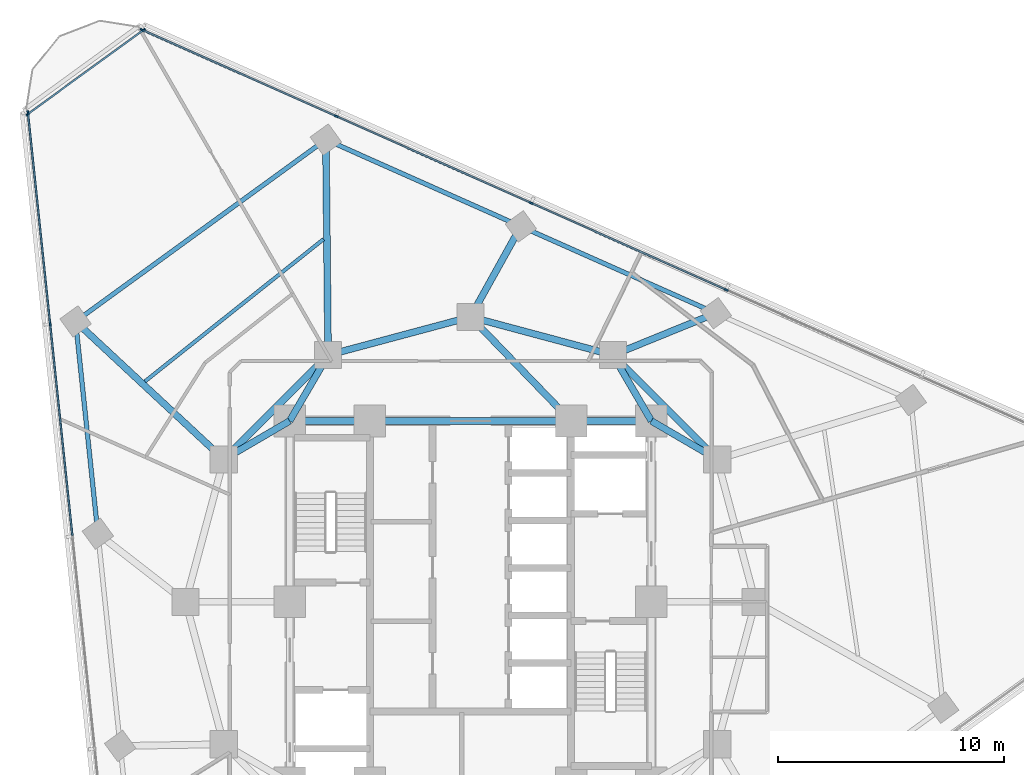
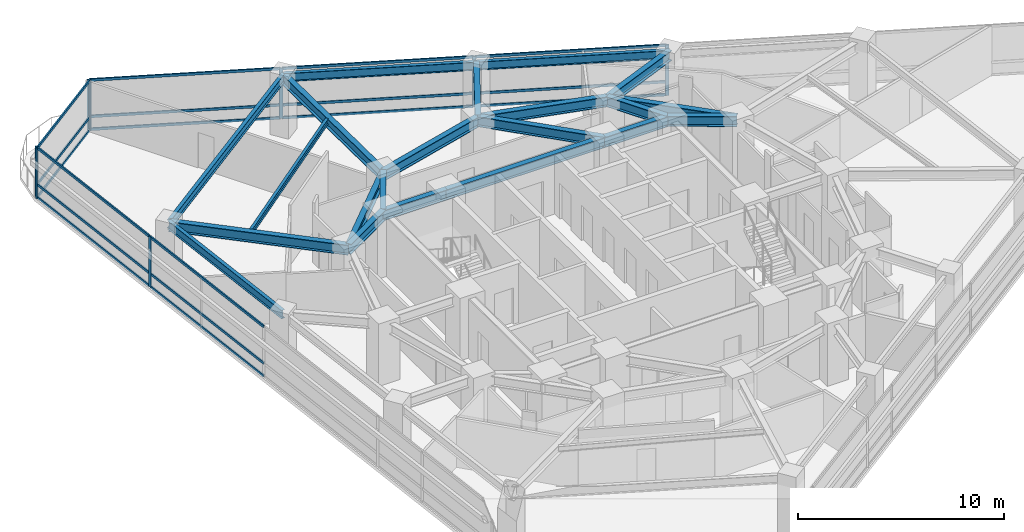
# One storey, part 5 of 14: 26 members, 21 beams, 3 elements without a shape of their own.
"""IFC4 building model written with IfcOpenShell, lengths in metres."""

from ifc_helpers import new_model, si_unit, direction, frame, origin, origin_2d, place, context, subcontext, project, spatial, rectangle, i_section, extrude, material, layer, layer_set, material_profile, profile_set, type_object, element, aggregate, save


model = new_model("IFC4")

# Units and contexts
model_context = context("Model", 3, precision=1e-05, world=origin(), true_north=direction((0.0, 1.0)))
body_context = subcontext(model_context, "Body", "Model", "MODEL_VIEW")
ifc_project = project(units=[si_unit("LENGTHUNIT", "METRE"), si_unit("AREAUNIT", "SQUARE_METRE"), si_unit("VOLUMEUNIT", "CUBIC_METRE"), si_unit("PLANEANGLEUNIT", "RADIAN"), si_unit("MASSUNIT", "GRAM", prefix="KILO")], contexts=[model_context])

# Site, building, storey
site_placement = place(None, origin())
site = spatial("IfcSite", under=ifc_project, at=site_placement, CompositionType="ELEMENT")
building_placement = place(site_placement, origin())
building = spatial("IfcBuilding", under=site, at=building_placement, Name="Terralouvre Media Tower", CompositionType="ELEMENT")
storey_placement = place(building_placement, frame((0.0, 0.0, 162.0)))
storey = spatial("IfcBuildingStorey", under=building, at=storey_placement, Name="L41", CompositionType="ELEMENT", Elevation=162.0)

# Beam
ifc_material_1 = material(Name="Structural steel S355J2", Category="steel")
ifc_material_profile_1 = material_profile(ifc_material_1, i_section(OverallWidth=0.159912109375, OverallDepth=0.330078125, WebThickness=0.007568359375, FlangeThickness=0.011474609375, at=origin_2d()), Name="IPE 330")
ifc_profile_set_1 = profile_set([ifc_material_profile_1], Name="Structural steel S355J2")
beam_type_1 = type_object("IfcBeamType", Name="Composite Floor Joist J-IPE330 (IPE 330)", PredefinedType="JOIST", material=ifc_profile_set_1)
beam_1_placement = place(storey_placement, frame((-6.500732421875, 16.037841796875, 3.3349609375), z_axis=(-0.782373963914, -0.622808943891, 0.0), x_axis=(0.622808943891, -0.782373963914, 0.0)))
element("IfcBeam", 1, at=beam_1_placement, inside=storey, type_object=beam_type_1, Name="L41 Framing Beam JT-L41-05", PredefinedType="JOIST", context=body_context, shape_type="SweptSolid", body=[
    extrude(i_section(OverallWidth=0.159912109375, OverallDepth=0.330078125, WebThickness=0.007568359375, FlangeThickness=0.011474609375, at=origin_2d()), origin(), (0.0, 0.0, 1.0), 10.0966796875),
])

# Curtain wall, members
ifc_material_2 = material(Name="Low-iron laminated double glazing with solar-control coating", Category="glass")
ifc_layer_1 = layer(ifc_material_2, 0.1650390625, Name="Production Studio Tower Curtain Wall CW-03")
ifc_layer_set_1 = layer_set([ifc_layer_1], Name="Low-iron laminated double glazing with solar-control coating")
curtain_wall_type_1 = type_object("IfcCurtainWallType", Name="Production Studio Tower Curtain Wall CW-03", PredefinedType="NOTDEFINED", material=ifc_layer_set_1)
curtain_wall_1_placement = place(storey_placement, origin())
curtain_wall_1 = element("IfcCurtainWall", 2, at=curtain_wall_1_placement, inside=storey, type_object=curtain_wall_type_1, Name="L41 Facade Curtain Wall F1", PredefinedType="NOTDEFINED")
ifc_material_3 = material(Name="Anodised extruded aluminium 6063-T6", Category="aluminium")
ifc_material_profile_2 = material_profile(ifc_material_3, rectangle(XDim=0.074951171875, YDim=0.14990234375, at=origin_2d()), Name="ALU 75x150")
ifc_profile_set_2 = profile_set([ifc_material_profile_2], Name="Anodised extruded aluminium 6063-T6")
member_type_1 = type_object("IfcMemberType", Name="Curtain-Wall Horizontal Transom TR-150", PredefinedType="USERDEFINED", material=ifc_profile_set_2)
member_1_placement = place(storey_placement, frame((11.27587890625, 13.8134765625, 0.03759765625), z_axis=(-0.913546899195, 0.40673340528, 0.0), x_axis=(-0.40673340528, -0.913546899195, 0.0)))
member_1 = element("IfcMember", 3, at=member_1_placement, type_object=member_type_1, Name="CW-03 transom 3.1", ObjectType="TRANSOM", PredefinedType="USERDEFINED", context=body_context, shape_type="SweptSolid", body=[
    extrude(rectangle(XDim=0.074951171875, YDim=0.14990234375, at=origin_2d()), origin(), (0.0, 0.0, 1.0), 9.364990234375),
])
member_2_placement = place(storey_placement, frame((11.27587890625, 13.8134765625, 0.800048828125), z_axis=(-0.913546899195, 0.40673340528, 0.0), x_axis=(-0.40673340528, -0.913546899195, 0.0)))
member_2 = element("IfcMember", 4, at=member_2_placement, type_object=member_type_1, Name="CW-03 transom 3.2", ObjectType="TRANSOM", PredefinedType="USERDEFINED", context=body_context, shape_type="SweptSolid", body=[
    extrude(rectangle(XDim=0.074951171875, YDim=0.14990234375, at=origin_2d()), origin(), (0.0, 0.0, 1.0), 9.364990234375),
])
member_3_placement = place(storey_placement, frame((11.27587890625, 13.8134765625, 2.96240234375), z_axis=(-0.913546899195, 0.40673340528, 0.0), x_axis=(-0.40673340528, -0.913546899195, 0.0)))
member_3 = element("IfcMember", 5, at=member_3_placement, type_object=member_type_1, Name="CW-03 transom 3.3", ObjectType="TRANSOM", PredefinedType="USERDEFINED", context=body_context, shape_type="SweptSolid", body=[
    extrude(rectangle(XDim=0.074951171875, YDim=0.14990234375, at=origin_2d()), origin(), (0.0, 0.0, 1.0), 9.364990234375),
])
member_4_placement = place(storey_placement, frame((2.65185546875, 17.653076171875, 0.03759765625), z_axis=(-0.913546899195, 0.40673340528, 0.0), x_axis=(-0.40673340528, -0.913546899195, 0.0)))
member_4 = element("IfcMember", 6, at=member_4_placement, type_object=member_type_1, Name="CW-03 transom 4.1", ObjectType="TRANSOM", PredefinedType="USERDEFINED", context=body_context, shape_type="SweptSolid", body=[
    extrude(rectangle(XDim=0.074951171875, YDim=0.14990234375, at=origin_2d()), origin(), (0.0, 0.0, 1.0), 9.364990234375),
])
member_5_placement = place(storey_placement, frame((2.65185546875, 17.653076171875, 0.800048828125), z_axis=(-0.913546899195, 0.40673340528, 0.0), x_axis=(-0.40673340528, -0.913546899195, 0.0)))
member_5 = element("IfcMember", 7, at=member_5_placement, type_object=member_type_1, Name="CW-03 transom 4.2", ObjectType="TRANSOM", PredefinedType="USERDEFINED", context=body_context, shape_type="SweptSolid", body=[
    extrude(rectangle(XDim=0.074951171875, YDim=0.14990234375, at=origin_2d()), origin(), (0.0, 0.0, 1.0), 9.364990234375),
])
member_6_placement = place(storey_placement, frame((2.65185546875, 17.653076171875, 2.96240234375), z_axis=(-0.913546899195, 0.40673340528, 0.0), x_axis=(-0.40673340528, -0.913546899195, 0.0)))
member_6 = element("IfcMember", 8, at=member_6_placement, type_object=member_type_1, Name="CW-03 transom 4.3", ObjectType="TRANSOM", PredefinedType="USERDEFINED", context=body_context, shape_type="SweptSolid", body=[
    extrude(rectangle(XDim=0.074951171875, YDim=0.14990234375, at=origin_2d()), origin(), (0.0, 0.0, 1.0), 9.364990234375),
])
member_7_placement = place(storey_placement, frame((-5.971923828125, 21.49267578125, 0.03759765625), z_axis=(-0.913553401339, 0.406718800774, 0.0), x_axis=(-0.406718800774, -0.913553401339, 0.0)))
member_7 = element("IfcMember", 9, at=member_7_placement, type_object=member_type_1, Name="CW-03 transom 5.1", ObjectType="TRANSOM", PredefinedType="USERDEFINED", context=body_context, shape_type="SweptSolid", body=[
    extrude(rectangle(XDim=0.074951171875, YDim=0.14990234375, at=origin_2d()), origin(), (0.0, 0.0, 1.0), 9.32763671875),
])
member_8_placement = place(storey_placement, frame((-5.971923828125, 21.49267578125, 0.800048828125), z_axis=(-0.913553401339, 0.406718800774, 0.0), x_axis=(-0.406718800774, -0.913553401339, 0.0)))
member_8 = element("IfcMember", 10, at=member_8_placement, type_object=member_type_1, Name="CW-03 transom 5.2", ObjectType="TRANSOM", PredefinedType="USERDEFINED", context=body_context, shape_type="SweptSolid", body=[
    extrude(rectangle(XDim=0.074951171875, YDim=0.14990234375, at=origin_2d()), origin(), (0.0, 0.0, 1.0), 9.32763671875),
])
member_9_placement = place(storey_placement, frame((-5.971923828125, 21.49267578125, 2.96240234375), z_axis=(-0.913553401339, 0.406718800774, 0.0), x_axis=(-0.406718800774, -0.913553401339, 0.0)))
member_9 = element("IfcMember", 11, at=member_9_placement, type_object=member_type_1, Name="CW-03 transom 5.3", ObjectType="TRANSOM", PredefinedType="USERDEFINED", context=body_context, shape_type="SweptSolid", body=[
    extrude(rectangle(XDim=0.074951171875, YDim=0.14990234375, at=origin_2d()), origin(), (0.0, 0.0, 1.0), 9.32763671875),
])

curtain_wall_2_placement = place(storey_placement, origin())
curtain_wall_2 = element("IfcCurtainWall", 12, at=curtain_wall_2_placement, inside=storey, type_object=curtain_wall_type_1, Name="L41 Facade Curtain Wall F2", PredefinedType="NOTDEFINED")
member_10_placement = place(storey_placement, frame((-19.5703125, 21.59765625, 0.03759765625), z_axis=(0.104540358364, -0.994520645071, 0.0), x_axis=(0.994520645071, 0.104540358364, 0.0)))
member_10 = element("IfcMember", 13, at=member_10_placement, type_object=member_type_1, Name="CW-03 transom 1.1", ObjectType="TRANSOM", PredefinedType="USERDEFINED", context=body_context, shape_type="SweptSolid", body=[
    extrude(rectangle(XDim=0.074951171875, YDim=0.14990234375, at=origin_2d()), origin(), (0.0, 0.0, 1.0), 9.327392578125),
])
member_11_placement = place(storey_placement, frame((-19.5703125, 21.59765625, 0.800048828125), z_axis=(0.104540358364, -0.994520645071, 0.0), x_axis=(0.994520645071, 0.104540358364, 0.0)))
member_11 = element("IfcMember", 14, at=member_11_placement, type_object=member_type_1, Name="CW-03 transom 1.2", ObjectType="TRANSOM", PredefinedType="USERDEFINED", context=body_context, shape_type="SweptSolid", body=[
    extrude(rectangle(XDim=0.074951171875, YDim=0.14990234375, at=origin_2d()), origin(), (0.0, 0.0, 1.0), 9.327392578125),
])
member_12_placement = place(storey_placement, frame((-19.5703125, 21.59765625, 2.96240234375), z_axis=(0.104540358364, -0.994520645071, 0.0), x_axis=(0.994520645071, 0.104540358364, 0.0)))
member_12 = element("IfcMember", 15, at=member_12_placement, type_object=member_type_1, Name="CW-03 transom 1.3", ObjectType="TRANSOM", PredefinedType="USERDEFINED", context=body_context, shape_type="SweptSolid", body=[
    extrude(rectangle(XDim=0.074951171875, YDim=0.14990234375, at=origin_2d()), origin(), (0.0, 0.0, 1.0), 9.327392578125),
])
member_13_placement = place(storey_placement, frame((-18.58740234375, 12.24658203125, 0.03759765625), z_axis=(0.104538223456, -0.994520869483, 0.0), x_axis=(0.994520869483, 0.104538223456, 0.0)))
member_13 = element("IfcMember", 16, at=member_13_placement, type_object=member_type_1, Name="CW-03 transom 2.1", ObjectType="TRANSOM", PredefinedType="USERDEFINED", context=body_context, shape_type="SweptSolid", body=[
    extrude(rectangle(XDim=0.074951171875, YDim=0.14990234375, at=origin_2d()), origin(), (0.0, 0.0, 1.0), 9.364990234375),
])
member_14_placement = place(storey_placement, frame((-18.58740234375, 12.24658203125, 0.800048828125), z_axis=(0.104538223456, -0.994520869483, 0.0), x_axis=(0.994520869483, 0.104538223456, 0.0)))
member_14 = element("IfcMember", 17, at=member_14_placement, type_object=member_type_1, Name="CW-03 transom 2.2", ObjectType="TRANSOM", PredefinedType="USERDEFINED", context=body_context, shape_type="SweptSolid", body=[
    extrude(rectangle(XDim=0.074951171875, YDim=0.14990234375, at=origin_2d()), origin(), (0.0, 0.0, 1.0), 9.364990234375),
])
member_15_placement = place(storey_placement, frame((-18.58740234375, 12.24658203125, 2.96240234375), z_axis=(0.104538223456, -0.994520869483, 0.0), x_axis=(0.994520869483, 0.104538223456, 0.0)))
member_15 = element("IfcMember", 18, at=member_15_placement, type_object=member_type_1, Name="CW-03 transom 2.3", ObjectType="TRANSOM", PredefinedType="USERDEFINED", context=body_context, shape_type="SweptSolid", body=[
    extrude(rectangle(XDim=0.074951171875, YDim=0.14990234375, at=origin_2d()), origin(), (0.0, 0.0, 1.0), 9.364990234375),
])

ifc_material_4 = material(Name="Low-iron laminated double glazing with solar-control coating", Category="glass")
ifc_layer_2 = layer(ifc_material_4, 0.1650390625, Name="Rounded Wind-Corner Curved Glazing CW-04")
ifc_layer_set_2 = layer_set([ifc_layer_2], Name="Low-iron laminated double glazing with solar-control coating")
curtain_wall_type_2 = type_object("IfcCurtainWallType", Name="Rounded Wind-Corner Curved Glazing CW-04", PredefinedType="NOTDEFINED", material=ifc_layer_set_2)
curtain_wall_3_placement = place(storey_placement, origin())
curtain_wall_3 = element("IfcCurtainWall", 19, at=curtain_wall_3_placement, inside=storey, type_object=curtain_wall_type_2, Name="L41 Rounded Wind-Corner Curtain Wall C2", PredefinedType="NOTDEFINED")
member_16_placement = place(storey_placement, frame((-14.4912109375, 25.269287109375, 0.03759765625), z_axis=(-0.809012644162, -0.587791239801, 0.0), x_axis=(0.587791239801, -0.809012644162, 0.0)))
member_16 = element("IfcMember", 20, at=member_16_placement, type_object=member_type_1, Name="CW-04 transom 1.1", ObjectType="TRANSOM", PredefinedType="USERDEFINED", context=body_context, shape_type="SweptSolid", body=[
    extrude(rectangle(XDim=0.074951171875, YDim=0.14990234375, at=origin_2d()), origin(), (0.0, 0.0, 1.0), 6.258544921875),
])
member_17_placement = place(storey_placement, frame((-14.4912109375, 25.269287109375, 0.800048828125), z_axis=(-0.809012644162, -0.587791239801, 0.0), x_axis=(0.587791239801, -0.809012644162, 0.0)))
member_17 = element("IfcMember", 21, at=member_17_placement, type_object=member_type_1, Name="CW-04 transom 1.2", ObjectType="TRANSOM", PredefinedType="USERDEFINED", context=body_context, shape_type="SweptSolid", body=[
    extrude(rectangle(XDim=0.074951171875, YDim=0.14990234375, at=origin_2d()), origin(), (0.0, 0.0, 1.0), 6.258544921875),
])
member_18_placement = place(storey_placement, frame((-14.4912109375, 25.269287109375, 2.96240234375), z_axis=(-0.809012644162, -0.587791239801, 0.0), x_axis=(0.587791239801, -0.809012644162, 0.0)))
member_18 = element("IfcMember", 22, at=member_18_placement, type_object=member_type_1, Name="CW-04 transom 1.3", ObjectType="TRANSOM", PredefinedType="USERDEFINED", context=body_context, shape_type="SweptSolid", body=[
    extrude(rectangle(XDim=0.074951171875, YDim=0.14990234375, at=origin_2d()), origin(), (0.0, 0.0, 1.0), 6.258544921875),
])

# Member
ifc_material_5 = material(Name="Anodised extruded aluminium 6063-T6", Category="aluminium")
ifc_material_profile_3 = material_profile(ifc_material_5, rectangle(XDim=0.074951171875, YDim=0.179931640625, at=origin_2d()), Name="ALU 75x180")
ifc_profile_set_3 = profile_set([ifc_material_profile_3], Name="Anodised extruded aluminium 6063-T6")
member_type_2 = type_object("IfcMemberType", Name="Curtain-Wall Vertical Mullion ML-180", PredefinedType="MULLION", material=ifc_profile_set_3)
member_19_placement = place(storey_placement, frame((11.31005859375, 13.798095703125, 0.0), z_axis=(0.0, 0.0, 1.0), x_axis=(-0.406736616337, -0.913545469547, 0.0)))
member_19 = element("IfcMember", 23, at=member_19_placement, type_object=member_type_2, Name="CW-03 mullion 3", PredefinedType="MULLION", context=body_context, shape_type="SweptSolid", body=[
    extrude(rectangle(XDim=0.074951171875, YDim=0.179931640625, at=origin_2d()), origin(), (0.0, 0.0, 1.0), 3.0),
])

member_20_placement = place(storey_placement, frame((2.686279296875, 17.6376953125, 0.0), z_axis=(0.0, 0.0, 1.0), x_axis=(-0.406736616337, -0.913545469547, 0.0)))
member_20 = element("IfcMember", 24, at=member_20_placement, type_object=member_type_2, Name="CW-03 mullion 4", PredefinedType="MULLION", context=body_context, shape_type="SweptSolid", body=[
    extrude(rectangle(XDim=0.074951171875, YDim=0.179931640625, at=origin_2d()), origin(), (0.0, 0.0, 1.0), 3.0),
])

member_21_placement = place(storey_placement, frame((-5.937744140625, 21.477294921875, 0.0), z_axis=(0.0, 0.0, 1.0), x_axis=(-0.406736616337, -0.913545469547, 0.0)))
member_21 = element("IfcMember", 25, at=member_21_placement, type_object=member_type_2, Name="CW-03 mullion 5", PredefinedType="MULLION", context=body_context, shape_type="SweptSolid", body=[
    extrude(rectangle(XDim=0.074951171875, YDim=0.179931640625, at=origin_2d()), origin(), (0.0, 0.0, 1.0), 3.0),
])

member_22_placement = place(storey_placement, frame((-14.52734375, 25.3017578125, 0.0), z_axis=(0.0, 0.0, 1.0), x_axis=(-0.406736616337, -0.913545469547, 0.0)))
member_22 = element("IfcMember", 26, at=member_22_placement, type_object=member_type_2, Name="CW-03 mullion 6", PredefinedType="MULLION", context=body_context, shape_type="SweptSolid", body=[
    extrude(rectangle(XDim=0.074951171875, YDim=0.179931640625, at=origin_2d()), origin(), (0.0, 0.0, 1.0), 3.0),
])

aggregate(curtain_wall_1, [member_19, member_20, member_21, member_22, member_1, member_2, member_3, member_4, member_5, member_6, member_7, member_8, member_9])

member_23_placement = place(storey_placement, frame((-19.57421875, 21.635009765625, 0.0), z_axis=(0.0, 0.0, 1.0), x_axis=(0.994521904516, 0.104528376236, 0.0)))
member_23 = element("IfcMember", 27, at=member_23_placement, type_object=member_type_2, Name="CW-03 mullion 1", PredefinedType="MULLION", context=body_context, shape_type="SweptSolid", body=[
    extrude(rectangle(XDim=0.074951171875, YDim=0.179931640625, at=origin_2d()), origin(), (0.0, 0.0, 1.0), 3.0),
])

member_24_placement = place(storey_placement, frame((-18.59130859375, 12.283935546875, 0.0), z_axis=(0.0, 0.0, 1.0), x_axis=(0.994521904516, 0.104528376236, 0.0)))
member_24 = element("IfcMember", 28, at=member_24_placement, type_object=member_type_2, Name="CW-03 mullion 2", PredefinedType="MULLION", context=body_context, shape_type="SweptSolid", body=[
    extrude(rectangle(XDim=0.074951171875, YDim=0.179931640625, at=origin_2d()), origin(), (0.0, 0.0, 1.0), 3.0),
])

aggregate(curtain_wall_2, [member_23, member_24, member_10, member_11, member_12, member_13, member_14, member_15])

member_25_placement = place(storey_placement, frame((-14.4609375, 25.291259765625, 0.0), z_axis=(0.0, 0.0, 1.0), x_axis=(0.587784641221, -0.809017438344, 0.0)))
member_25 = element("IfcMember", 29, at=member_25_placement, type_object=member_type_2, Name="CW-04 mullion 1", PredefinedType="MULLION", context=body_context, shape_type="SweptSolid", body=[
    extrude(rectangle(XDim=0.074951171875, YDim=0.179931640625, at=origin_2d()), origin(), (0.0, 0.0, 1.0), 3.0),
])

member_26_placement = place(storey_placement, frame((-19.584716796875, 21.568603515625, 0.0), z_axis=(0.0, 0.0, 1.0), x_axis=(0.587784641221, -0.809017438344, 0.0)))
member_26 = element("IfcMember", 30, at=member_26_placement, type_object=member_type_2, Name="CW-04 mullion 2", PredefinedType="MULLION", context=body_context, shape_type="SweptSolid", body=[
    extrude(rectangle(XDim=0.074951171875, YDim=0.179931640625, at=origin_2d()), origin(), (0.0, 0.0, 1.0), 3.0),
])

aggregate(curtain_wall_3, [member_25, member_26, member_16, member_17, member_18])

# Beams
ifc_material_6 = material(Name="Structural steel S355J2", Category="steel")
ifc_material_profile_4 = material_profile(ifc_material_6, i_section(OverallWidth=0.199951171875, OverallDepth=0.5, WebThickness=0.01025390625, FlangeThickness=0.01611328125, at=origin_2d()), Name="IPE 500")
ifc_profile_set_4 = profile_set([ifc_material_profile_4], Name="Structural steel S355J2")
beam_type_2 = type_object("IfcBeamType", Name="Perimeter Spandrel Beam SPB-500 (IPE 500)", PredefinedType="SPANDREL", material=ifc_profile_set_4)
for number, where, z_axis, x_axis, name in (
    (31, (10.850341796875, 12.765869140625, 3.25), (-0.913543659167, 0.406740682494, 0.0), (-0.406740682494, -0.913543659167, 0.0), "L41 Framing Beam BM-L41-PR08"),
    (32, (2.2265625, 16.60546875, 3.25), (-0.913543659167, 0.406740682494, 0.0), (-0.406740682494, -0.913543659167, 0.0), "L41 Framing Beam BM-L41-PR09"),
):
    element("IfcBeam", number, at=place(storey_placement, frame(where, z_axis=z_axis, x_axis=x_axis)), inside=storey, type_object=beam_type_2, Name=name, PredefinedType="SPANDREL", context=body_context, shape_type="SweptSolid", body=[
        extrude(i_section(OverallWidth=0.199951171875, OverallDepth=0.5, WebThickness=0.01025390625, FlangeThickness=0.01611328125, at=origin_2d()), origin(), (0.0, 0.0, 1.0), 9.43994140625),
    ])
beam_2_placement = place(storey_placement, frame((-6.397216796875, 20.445068359375, 3.25), z_axis=(-0.80901991627, -0.587781230628, 0.0), x_axis=(0.587781230628, -0.80901991627, 0.0)))
element("IfcBeam", 33, at=beam_2_placement, inside=storey, type_object=beam_type_2, Name="L41 Framing Beam BM-L41-PR10", PredefinedType="SPANDREL", context=body_context, shape_type="SweptSolid", body=[
    extrude(i_section(OverallWidth=0.199951171875, OverallDepth=0.5, WebThickness=0.01025390625, FlangeThickness=0.01611328125, at=origin_2d()), origin(), (0.0, 0.0, 1.0), 13.68359375),
])
beam_3_placement = place(storey_placement, frame((-17.467529296875, 12.402099609375, 3.25), z_axis=(0.10453669331, -0.994521030321, 0.0), x_axis=(0.994521030321, 0.10453669331, 0.0)))
element("IfcBeam", 34, at=beam_3_placement, inside=storey, type_object=beam_type_2, Name="L41 Framing Beam BM-L41-PR11", PredefinedType="SPANDREL", context=body_context, shape_type="SweptSolid", body=[
    extrude(i_section(OverallWidth=0.199951171875, OverallDepth=0.5, WebThickness=0.01025390625, FlangeThickness=0.01611328125, at=origin_2d()), origin(), (0.0, 0.0, 1.0), 9.43994140625),
])
ifc_material_7 = material(Name="Structural steel S460M", Category="steel")
ifc_material_profile_5 = material_profile(ifc_material_7, i_section(OverallWidth=0.300048828125, OverallDepth=0.60009765625, WebThickness=0.015380859375, FlangeThickness=0.030029296875, at=origin_2d()), Name="HEB 600")
ifc_profile_set_5 = profile_set([ifc_material_profile_5], Name="Structural steel S460M")
beam_type_3 = type_object("IfcBeamType", Name="Primary Floor Girder B-HEB600 (HEB 600)", PredefinedType="BEAM", material=ifc_profile_set_5)
beam_4_placement = place(storey_placement, frame((8.0, 8.0, 3.199951171875), z_axis=(-1.0, 0.0, 0.0), x_axis=(0.0, -1.0, 0.0)))
element("IfcBeam", 35, at=beam_4_placement, inside=storey, type_object=beam_type_3, Name="L41 Framing Beam BM-L41-CPR06", PredefinedType="BEAM", context=body_context, shape_type="SweptSolid", body=[
    extrude(i_section(OverallWidth=0.300048828125, OverallDepth=0.60009765625, WebThickness=0.015380859375, FlangeThickness=0.030029296875, at=origin_2d()), origin(), (0.0, 0.0, 1.0), 3.550048828125),
])
beam_5_placement = place(storey_placement, frame((4.449951171875, 8.0, 3.199951171875), z_axis=(-1.0, 0.0, 0.0), x_axis=(0.0, -1.0, 0.0)))
element("IfcBeam", 36, at=beam_5_placement, inside=storey, type_object=beam_type_3, Name="L41 Framing Beam BM-L41-CPR07", PredefinedType="BEAM", context=body_context, shape_type="SweptSolid", body=[
    extrude(i_section(OverallWidth=0.300048828125, OverallDepth=0.60009765625, WebThickness=0.015380859375, FlangeThickness=0.030029296875, at=origin_2d()), origin(), (0.0, 0.0, 1.0), 8.89990234375),
])
beam_6_placement = place(storey_placement, frame((-4.449951171875, 8.0, 3.199951171875), z_axis=(-1.0, 0.0, 0.0), x_axis=(0.0, -1.0, 0.0)))
element("IfcBeam", 37, at=beam_6_placement, inside=storey, type_object=beam_type_3, Name="L41 Framing Beam BM-L41-CPR08", PredefinedType="BEAM", context=body_context, shape_type="SweptSolid", body=[
    extrude(i_section(OverallWidth=0.300048828125, OverallDepth=0.60009765625, WebThickness=0.015380859375, FlangeThickness=0.030029296875, at=origin_2d()), origin(), (0.0, 0.0, 1.0), 3.550048828125),
])
beam_7_placement = place(storey_placement, frame((10.911865234375, 6.300048828125, 3.199951171875), z_axis=(-0.707106781187, 0.707106781187, 0.0), x_axis=(-0.707106781187, -0.707106781187, 0.0)))
element("IfcBeam", 38, at=beam_7_placement, inside=storey, type_object=beam_type_3, Name="L41 Framing Beam BM-L41-MR07", PredefinedType="BEAM", context=body_context, shape_type="SweptSolid", body=[
    extrude(i_section(OverallWidth=0.300048828125, OverallDepth=0.60009765625, WebThickness=0.015380859375, FlangeThickness=0.030029296875, at=origin_2d()), origin(), (0.0, 0.0, 1.0), 6.52197265625),
])
for number, where, z_axis, x_axis, name in (
    (39, (6.300048828125, 10.911865234375, 3.199951171875), (-0.965920481897, 0.258838989821, 0.0), (-0.258838989821, -0.965920481897, 0.0), "L41 Framing Beam BM-L41-MR08"),
    (40, (0.0, 12.60009765625, 3.199951171875), (-0.965920481897, -0.258838989821, 0.0), (0.258838989821, -0.965920481897, 0.0), "L41 Framing Beam BM-L41-MR09"),
):
    element("IfcBeam", number, at=place(storey_placement, frame(where, z_axis=z_axis, x_axis=x_axis)), inside=storey, type_object=beam_type_3, Name=name, PredefinedType="BEAM", context=body_context, shape_type="SweptSolid", body=[
        extrude(i_section(OverallWidth=0.300048828125, OverallDepth=0.60009765625, WebThickness=0.015380859375, FlangeThickness=0.030029296875, at=origin_2d()), origin(), (0.0, 0.0, 1.0), 6.522216796875),
    ])
beam_8_placement = place(storey_placement, frame((-6.300048828125, 10.911865234375, 3.199951171875), z_axis=(-0.707106781187, -0.707106781187, 0.0), x_axis=(0.707106781187, -0.707106781187, 0.0)))
element("IfcBeam", 41, at=beam_8_placement, inside=storey, type_object=beam_type_3, Name="L41 Framing Beam BM-L41-MR10", PredefinedType="BEAM", context=body_context, shape_type="SweptSolid", body=[
    extrude(i_section(OverallWidth=0.300048828125, OverallDepth=0.60009765625, WebThickness=0.015380859375, FlangeThickness=0.030029296875, at=origin_2d()), origin(), (0.0, 0.0, 1.0), 6.52197265625),
])
for number, where, z_axis, x_axis, name in (
    (42, (8.0, 8.0, 3.199951171875), (0.863602894532, -0.504172629717, 0.0), (0.504172629717, 0.863602894532, 0.0), "L41 Framing Beam BM-L41-CM07"),
    (43, (8.0, 8.0, 3.199951171875), (-0.504172629717, 0.863602894532, 0.0), (-0.863602894532, -0.504172629717, 0.0), "L41 Framing Beam BM-L41-CM08"),
):
    element("IfcBeam", number, at=place(storey_placement, frame(where, z_axis=z_axis, x_axis=x_axis)), inside=storey, type_object=beam_type_3, Name=name, PredefinedType="BEAM", context=body_context, shape_type="SweptSolid", body=[
        extrude(i_section(OverallWidth=0.300048828125, OverallDepth=0.60009765625, WebThickness=0.015380859375, FlangeThickness=0.030029296875, at=origin_2d()), origin(), (0.0, 0.0, 1.0), 3.371826171875),
    ])
beam_9_placement = place(storey_placement, frame((4.449951171875, 8.0, 3.199951171875), z_axis=(-0.695279715726, 0.718739255155, 0.0), x_axis=(-0.718739255155, -0.695279715726, 0.0)))
element("IfcBeam", 44, at=beam_9_placement, inside=storey, type_object=beam_type_3, Name="L41 Framing Beam BM-L41-CM09", PredefinedType="BEAM", context=body_context, shape_type="SweptSolid", body=[
    extrude(i_section(OverallWidth=0.300048828125, OverallDepth=0.60009765625, WebThickness=0.015380859375, FlangeThickness=0.030029296875, at=origin_2d()), origin(), (0.0, 0.0, 1.0), 6.400146484375),
])
for number, where, z_axis, x_axis, name in (
    (45, (-8.0, 8.0, 3.199951171875), (0.504172629717, 0.863602894532, 0.0), (-0.863602894532, 0.504172629717, 0.0), "L41 Framing Beam BM-L41-CM10"),
    (46, (-8.0, 8.0, 3.199951171875), (-0.863602894532, -0.504172629717, 0.0), (0.504172629717, -0.863602894532, 0.0), "L41 Framing Beam BM-L41-CM11"),
):
    element("IfcBeam", number, at=place(storey_placement, frame(where, z_axis=z_axis, x_axis=x_axis)), inside=storey, type_object=beam_type_3, Name=name, PredefinedType="BEAM", context=body_context, shape_type="SweptSolid", body=[
        extrude(i_section(OverallWidth=0.300048828125, OverallDepth=0.60009765625, WebThickness=0.015380859375, FlangeThickness=0.030029296875, at=origin_2d()), origin(), (0.0, 0.0, 1.0), 3.371826171875),
    ])
beam_10_placement = place(storey_placement, frame((6.300048828125, 10.911865234375, 3.199951171875), z_axis=(0.926079498884, 0.377328453403, 0.0), x_axis=(-0.377328453403, 0.926079498884, 0.0)))
element("IfcBeam", 47, at=beam_10_placement, inside=storey, type_object=beam_type_3, Name="L41 Framing Beam BM-L41-RD08", PredefinedType="BEAM", context=body_context, shape_type="SweptSolid", body=[
    extrude(i_section(OverallWidth=0.300048828125, OverallDepth=0.60009765625, WebThickness=0.015380859375, FlangeThickness=0.030029296875, at=origin_2d()), origin(), (0.0, 0.0, 1.0), 4.91357421875),
])
beam_11_placement = place(storey_placement, frame((0.0, 12.60009765625, 3.199951171875), z_axis=(0.485869082881, 0.874031597999, 0.0), x_axis=(-0.874031597999, 0.485869082881, 0.0)))
element("IfcBeam", 48, at=beam_11_placement, inside=storey, type_object=beam_type_3, Name="L41 Framing Beam BM-L41-RD09", PredefinedType="BEAM", context=body_context, shape_type="SweptSolid", body=[
    extrude(i_section(OverallWidth=0.300048828125, OverallDepth=0.60009765625, WebThickness=0.015380859375, FlangeThickness=0.030029296875, at=origin_2d()), origin(), (0.0, 0.0, 1.0), 4.58251953125),
])
beam_12_placement = place(storey_placement, frame((-6.300048828125, 10.911865234375, 3.199951171875), z_axis=(-0.010192054081, 0.999948059668, 0.0), x_axis=(-0.999948059668, -0.010192054081, 0.0)))
element("IfcBeam", 49, at=beam_12_placement, inside=storey, type_object=beam_type_3, Name="L41 Framing Beam BM-L41-RD10", PredefinedType="BEAM", context=body_context, shape_type="SweptSolid", body=[
    extrude(i_section(OverallWidth=0.300048828125, OverallDepth=0.60009765625, WebThickness=0.015380859375, FlangeThickness=0.030029296875, at=origin_2d()), origin(), (0.0, 0.0, 1.0), 9.53369140625),
])
beam_13_placement = place(storey_placement, frame((-10.911865234375, 6.300048828125, 3.199951171875), z_axis=(-0.731977414873, 0.6813288957, 0.0), x_axis=(-0.6813288957, -0.731977414873, 0.0)))
element("IfcBeam", 50, at=beam_13_placement, inside=storey, type_object=beam_type_3, Name="L41 Framing Beam BM-L41-RD11", PredefinedType="BEAM", context=body_context, shape_type="SweptSolid", body=[
    extrude(i_section(OverallWidth=0.300048828125, OverallDepth=0.60009765625, WebThickness=0.015380859375, FlangeThickness=0.030029296875, at=origin_2d()), origin(), (0.0, 0.0, 1.0), 8.9560546875),
])

save(model, "model.ifc")
